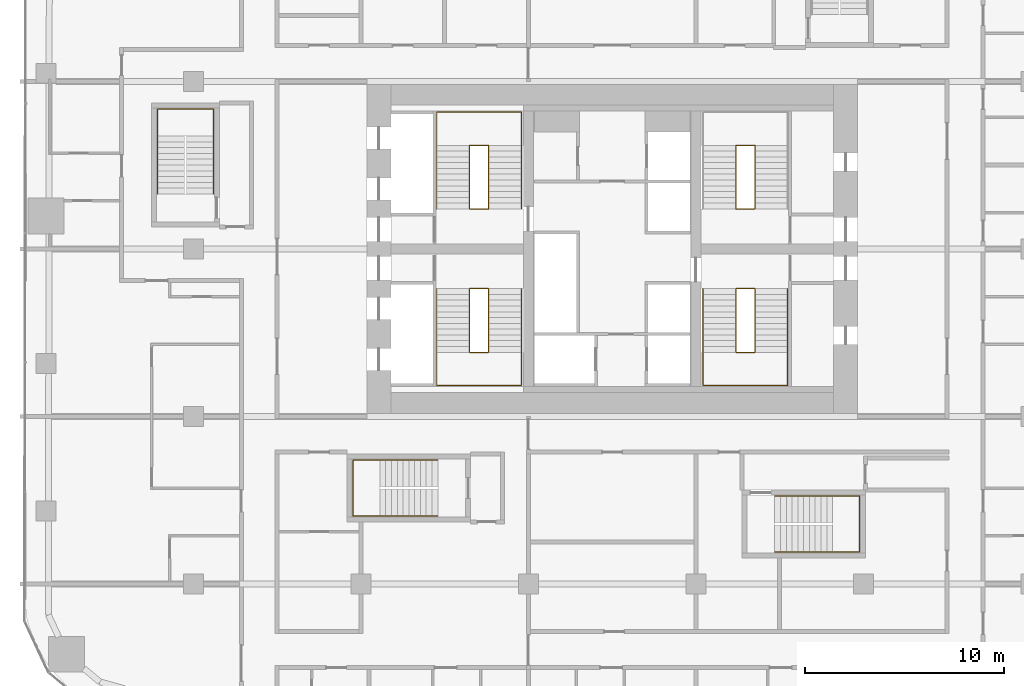
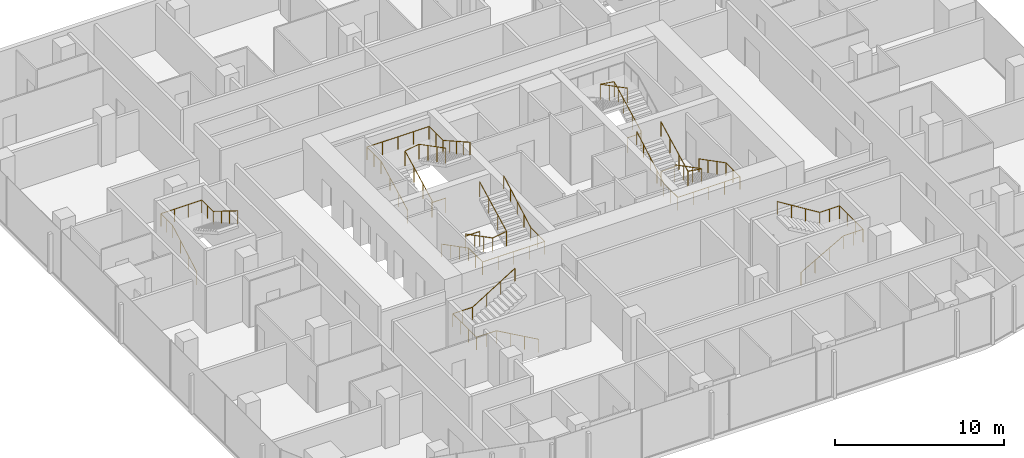
# One storey, part 24 of 25: 10 railings.
"""IFC4 building model written with IfcOpenShell, lengths in metres."""

from ifc_helpers import new_model, si_unit, direction, frame, origin, origin_2d, place, context, subcontext, project, spatial, circle, extrude, material, type_object, element, save


model = new_model("IFC4")

# Units and contexts
model_context = context("Model", 3, precision=1e-05, world=origin(), true_north=direction((0.0, 1.0)))
body_context = subcontext(model_context, "Body", "Model", "MODEL_VIEW")
ifc_project = project(units=[si_unit("LENGTHUNIT", "METRE"), si_unit("AREAUNIT", "SQUARE_METRE"), si_unit("VOLUMEUNIT", "CUBIC_METRE"), si_unit("PLANEANGLEUNIT", "RADIAN"), si_unit("MASSUNIT", "GRAM", prefix="KILO")], contexts=[model_context])

# Site, building, storey
site_placement = place(None, origin())
site = spatial("IfcSite", under=ifc_project, at=site_placement, CompositionType="ELEMENT")
building_placement = place(site_placement, origin())
building = spatial("IfcBuilding", under=site, at=building_placement, Name="Marenta Gate Hotel Tower", CompositionType="ELEMENT")
storey_placement = place(building_placement, frame((0.0, 0.0, 50.89990234375)))
storey = spatial("IfcBuildingStorey", under=building, at=storey_placement, Name="L10", CompositionType="ELEMENT", Elevation=50.89990234375)

# Railings
ifc_material_1 = material(Name="Stainless steel", Category="steel")
railing_type_1 = type_object("IfcRailingType", Name="Core stair handrail 950", PredefinedType="HANDRAIL", material=ifc_material_1)
railing_1_placement = place(storey_placement, frame((-8.800048828125, 6.39990234375, 0.150146484375)))
element("IfcRailing", 1, at=railing_1_placement, inside=storey, type_object=railing_type_1, Name="HR-950 L10-KR-ST1-1", PredefinedType="HANDRAIL", context=body_context, shape_type="SweptSolid", body=[
    extrude(circle(Radius=0.02392578125, at=origin_2d()), frame((0.0, 0.0, 0.92578125), z_axis=(0.0, -0.888225295554, 0.459408123936), x_axis=(1.0, 0.0, 0.0)), (0.0, 0.0, 1.0), 3.59130859375),
    extrude(circle(Radius=0.02392578125, at=origin_2d()), frame((0.0, -3.18994140625, 2.57568359375), z_axis=(0.0, -1.0, 0.0), x_axis=(1.0, 0.0, 0.0)), (0.0, 0.0, 1.0), 1.659912109375),
    extrude(circle(Radius=0.02392578125, at=origin_2d()), frame((0.0, -4.849853515625, 2.57568359375), z_axis=(1.0, 0.0, 0.0), x_axis=(0.0, 1.0, 0.0)), (0.0, 0.0, 1.0), 4.25),
    extrude(circle(Radius=0.02392578125, at=origin_2d()), frame((4.25, -4.849853515625, 2.57568359375), z_axis=(0.0, 1.0, 0.0), x_axis=(-1.0, 0.0, 0.0)), (0.0, 0.0, 1.0), 1.659912109375),
    extrude(circle(Radius=0.02392578125, at=origin_2d()), frame((4.25, -3.18994140625, 2.57568359375), z_axis=(0.0, 0.87090897868, 0.491444351738), x_axis=(-1.0, 0.0, 0.0)), (0.0, 0.0, 1.0), 3.662841796875),
    extrude(circle(Radius=0.02099609375, at=origin_2d()), origin(), (0.0, 0.0, 1.0), 0.90185546875),
    extrude(circle(Radius=0.02099609375, at=origin_2d()), frame((0.0, -1.063232421875, 0.550048828125)), (0.0, 0.0, 1.0), 0.90185546875),
    extrude(circle(Radius=0.02099609375, at=origin_2d()), frame((0.0, -2.126708984375, 1.099853515625)), (0.0, 0.0, 1.0), 0.90185546875),
    extrude(circle(Radius=0.02099609375, at=origin_2d()), frame((0.0, -3.18994140625, 1.64990234375)), (0.0, 0.0, 1.0), 0.90185546875),
    extrude(circle(Radius=0.02099609375, at=origin_2d()), frame((0.0, -4.02001953125, 1.64990234375)), (0.0, 0.0, 1.0), 0.90185546875),
    extrude(circle(Radius=0.02099609375, at=origin_2d()), frame((0.0, -4.849853515625, 1.64990234375)), (0.0, 0.0, 1.0), 0.90185546875),
    extrude(circle(Radius=0.02099609375, at=origin_2d()), frame((1.0625, -4.849853515625, 1.64990234375)), (0.0, 0.0, 1.0), 0.90185546875),
    extrude(circle(Radius=0.02099609375, at=origin_2d()), frame((2.125, -4.849853515625, 1.64990234375)), (0.0, 0.0, 1.0), 0.90185546875),
    extrude(circle(Radius=0.02099609375, at=origin_2d()), frame((3.1875, -4.849853515625, 1.64990234375)), (0.0, 0.0, 1.0), 0.90185546875),
    extrude(circle(Radius=0.02099609375, at=origin_2d()), frame((4.25, -4.849853515625, 1.64990234375)), (0.0, 0.0, 1.0), 0.90185546875),
    extrude(circle(Radius=0.02099609375, at=origin_2d()), frame((4.25, -4.02001953125, 1.64990234375)), (0.0, 0.0, 1.0), 0.90185546875),
    extrude(circle(Radius=0.02099609375, at=origin_2d()), frame((4.25, -3.18994140625, 1.64990234375)), (0.0, 0.0, 1.0), 0.90185546875),
    extrude(circle(Radius=0.02099609375, at=origin_2d()), frame((4.25, -2.392578125, 2.099853515625)), (0.0, 0.0, 1.0), 0.90185546875),
    extrude(circle(Radius=0.02099609375, at=origin_2d()), frame((4.25, -1.594970703125, 2.5498046875)), (0.0, 0.0, 1.0), 0.90185546875),
    extrude(circle(Radius=0.02099609375, at=origin_2d()), frame((4.25, -0.79736328125, 3.0)), (0.0, 0.0, 1.0), 0.90185546875),
    extrude(circle(Radius=0.02099609375, at=origin_2d()), frame((4.25, 0.0, 3.449951171875)), (0.0, 0.0, 1.0), 0.90185546875),
])
railing_2_placement = place(storey_placement, frame((-8.800048828125, 10.39990234375, 0.150146484375)))
element("IfcRailing", 2, at=railing_2_placement, inside=storey, type_object=railing_type_1, Name="HR-950 L10-KR-ST2-1", PredefinedType="HANDRAIL", context=body_context, shape_type="SweptSolid", body=[
    extrude(circle(Radius=0.02392578125, at=origin_2d()), frame((0.0, 0.0, 0.92578125), z_axis=(0.0, 0.888239641807, 0.459380385653), x_axis=(-1.0, 0.0, 0.0)), (0.0, 0.0, 1.0), 3.591552734375),
    extrude(circle(Radius=0.02392578125, at=origin_2d()), frame((0.0, 3.190185546875, 2.57568359375), z_axis=(0.0, 1.0, 0.0), x_axis=(-1.0, 0.0, 0.0)), (0.0, 0.0, 1.0), 1.659912109375),
    extrude(circle(Radius=0.02392578125, at=origin_2d()), frame((0.0, 4.85009765625, 2.57568359375), z_axis=(1.0, 0.0, 0.0), x_axis=(0.0, 1.0, 0.0)), (0.0, 0.0, 1.0), 4.25),
    extrude(circle(Radius=0.02392578125, at=origin_2d()), frame((4.25, 4.85009765625, 2.57568359375), z_axis=(0.0, -1.0, 0.0), x_axis=(1.0, 0.0, 0.0)), (0.0, 0.0, 1.0), 1.659912109375),
    extrude(circle(Radius=0.02392578125, at=origin_2d()), frame((4.25, 3.190185546875, 2.57568359375), z_axis=(0.0, -0.870925075533, 0.491415824742), x_axis=(1.0, 0.0, 0.0)), (0.0, 0.0, 1.0), 3.6630859375),
    extrude(circle(Radius=0.02099609375, at=origin_2d()), origin(), (0.0, 0.0, 1.0), 0.90185546875),
    extrude(circle(Radius=0.02099609375, at=origin_2d()), frame((0.0, 1.0634765625, 0.550048828125)), (0.0, 0.0, 1.0), 0.90185546875),
    extrude(circle(Radius=0.02099609375, at=origin_2d()), frame((0.0, 2.126708984375, 1.099853515625)), (0.0, 0.0, 1.0), 0.90185546875),
    extrude(circle(Radius=0.02099609375, at=origin_2d()), frame((0.0, 3.190185546875, 1.64990234375)), (0.0, 0.0, 1.0), 0.90185546875),
    extrude(circle(Radius=0.02099609375, at=origin_2d()), frame((0.0, 4.02001953125, 1.64990234375)), (0.0, 0.0, 1.0), 0.90185546875),
    extrude(circle(Radius=0.02099609375, at=origin_2d()), frame((0.0, 4.85009765625, 1.64990234375)), (0.0, 0.0, 1.0), 0.90185546875),
    extrude(circle(Radius=0.02099609375, at=origin_2d()), frame((1.0625, 4.85009765625, 1.64990234375)), (0.0, 0.0, 1.0), 0.90185546875),
    extrude(circle(Radius=0.02099609375, at=origin_2d()), frame((2.125, 4.85009765625, 1.64990234375)), (0.0, 0.0, 1.0), 0.90185546875),
    extrude(circle(Radius=0.02099609375, at=origin_2d()), frame((3.1875, 4.85009765625, 1.64990234375)), (0.0, 0.0, 1.0), 0.90185546875),
    extrude(circle(Radius=0.02099609375, at=origin_2d()), frame((4.25, 4.85009765625, 1.64990234375)), (0.0, 0.0, 1.0), 0.90185546875),
    extrude(circle(Radius=0.02099609375, at=origin_2d()), frame((4.25, 4.02001953125, 1.64990234375)), (0.0, 0.0, 1.0), 0.90185546875),
    extrude(circle(Radius=0.02099609375, at=origin_2d()), frame((4.25, 3.190185546875, 1.64990234375)), (0.0, 0.0, 1.0), 0.90185546875),
    extrude(circle(Radius=0.02099609375, at=origin_2d()), frame((4.25, 2.392578125, 2.099853515625)), (0.0, 0.0, 1.0), 0.90185546875),
    extrude(circle(Radius=0.02099609375, at=origin_2d()), frame((4.25, 1.59521484375, 2.5498046875)), (0.0, 0.0, 1.0), 0.90185546875),
    extrude(circle(Radius=0.02099609375, at=origin_2d()), frame((4.25, 0.797607421875, 3.0)), (0.0, 0.0, 1.0), 0.90185546875),
    extrude(circle(Radius=0.02099609375, at=origin_2d()), frame((4.25, 0.0, 3.449951171875)), (0.0, 0.0, 1.0), 0.90185546875),
])
railing_3_placement = place(storey_placement, frame((8.800048828125, 6.39990234375, 0.150146484375)))
element("IfcRailing", 3, at=railing_3_placement, inside=storey, type_object=railing_type_1, Name="HR-950 L10-KR-ST3-1", PredefinedType="HANDRAIL", context=body_context, shape_type="SweptSolid", body=[
    extrude(circle(Radius=0.02392578125, at=origin_2d()), frame((0.0, 0.0, 0.92578125), z_axis=(0.0, -0.888225295554, 0.459408123936), x_axis=(1.0, 0.0, 0.0)), (0.0, 0.0, 1.0), 3.59130859375),
    extrude(circle(Radius=0.02392578125, at=origin_2d()), frame((0.0, -3.18994140625, 2.57568359375), z_axis=(0.0, -1.0, 0.0), x_axis=(1.0, 0.0, 0.0)), (0.0, 0.0, 1.0), 1.659912109375),
    extrude(circle(Radius=0.02392578125, at=origin_2d()), frame((0.0, -4.849853515625, 2.57568359375), z_axis=(-1.0, 0.0, 0.0), x_axis=(0.0, -1.0, 0.0)), (0.0, 0.0, 1.0), 4.25),
    extrude(circle(Radius=0.02392578125, at=origin_2d()), frame((-4.25, -4.849853515625, 2.57568359375), z_axis=(0.0, 1.0, 0.0), x_axis=(-1.0, 0.0, 0.0)), (0.0, 0.0, 1.0), 1.659912109375),
    extrude(circle(Radius=0.02392578125, at=origin_2d()), frame((-4.25, -3.18994140625, 2.57568359375), z_axis=(0.0, 0.87090897868, 0.491444351738), x_axis=(-1.0, 0.0, 0.0)), (0.0, 0.0, 1.0), 3.662841796875),
    extrude(circle(Radius=0.02099609375, at=origin_2d()), origin(), (0.0, 0.0, 1.0), 0.90185546875),
    extrude(circle(Radius=0.02099609375, at=origin_2d()), frame((0.0, -1.063232421875, 0.550048828125)), (0.0, 0.0, 1.0), 0.90185546875),
    extrude(circle(Radius=0.02099609375, at=origin_2d()), frame((0.0, -2.126708984375, 1.099853515625)), (0.0, 0.0, 1.0), 0.90185546875),
    extrude(circle(Radius=0.02099609375, at=origin_2d()), frame((0.0, -3.18994140625, 1.64990234375)), (0.0, 0.0, 1.0), 0.90185546875),
    extrude(circle(Radius=0.02099609375, at=origin_2d()), frame((0.0, -4.02001953125, 1.64990234375)), (0.0, 0.0, 1.0), 0.90185546875),
    extrude(circle(Radius=0.02099609375, at=origin_2d()), frame((0.0, -4.849853515625, 1.64990234375)), (0.0, 0.0, 1.0), 0.90185546875),
    extrude(circle(Radius=0.02099609375, at=origin_2d()), frame((-1.0625, -4.849853515625, 1.64990234375)), (0.0, 0.0, 1.0), 0.90185546875),
    extrude(circle(Radius=0.02099609375, at=origin_2d()), frame((-2.125, -4.849853515625, 1.64990234375)), (0.0, 0.0, 1.0), 0.90185546875),
    extrude(circle(Radius=0.02099609375, at=origin_2d()), frame((-3.1875, -4.849853515625, 1.64990234375)), (0.0, 0.0, 1.0), 0.90185546875),
    extrude(circle(Radius=0.02099609375, at=origin_2d()), frame((-4.25, -4.849853515625, 1.64990234375)), (0.0, 0.0, 1.0), 0.90185546875),
    extrude(circle(Radius=0.02099609375, at=origin_2d()), frame((-4.25, -4.02001953125, 1.64990234375)), (0.0, 0.0, 1.0), 0.90185546875),
    extrude(circle(Radius=0.02099609375, at=origin_2d()), frame((-4.25, -3.18994140625, 1.64990234375)), (0.0, 0.0, 1.0), 0.90185546875),
    extrude(circle(Radius=0.02099609375, at=origin_2d()), frame((-4.25, -2.392578125, 2.099853515625)), (0.0, 0.0, 1.0), 0.90185546875),
    extrude(circle(Radius=0.02099609375, at=origin_2d()), frame((-4.25, -1.594970703125, 2.5498046875)), (0.0, 0.0, 1.0), 0.90185546875),
    extrude(circle(Radius=0.02099609375, at=origin_2d()), frame((-4.25, -0.79736328125, 3.0)), (0.0, 0.0, 1.0), 0.90185546875),
    extrude(circle(Radius=0.02099609375, at=origin_2d()), frame((-4.25, 0.0, 3.449951171875)), (0.0, 0.0, 1.0), 0.90185546875),
])
railing_4_placement = place(storey_placement, frame((8.14990234375, -6.800048828125, 0.163818359375)))
element("IfcRailing", 4, at=railing_4_placement, inside=storey, type_object=railing_type_1, Name="HR-950 L10-RS-Z1-1-KR-1", PredefinedType="HANDRAIL", context=body_context, shape_type="SweptSolid", body=[
    extrude(circle(Radius=0.02392578125, at=origin_2d()), frame((0.0, 0.0, 0.92578125), z_axis=(0.870946286338, 0.0, 0.49137823142), x_axis=(0.0, 1.0, 0.0)), (0.0, 0.0, 1.0), 3.329833984375),
    extrude(circle(Radius=0.02392578125, at=origin_2d()), frame((2.900146484375, 0.0, 2.56201171875), z_axis=(1.0, 0.0, 0.0), x_axis=(0.0, 1.0, 0.0)), (0.0, 0.0, 1.0), 1.349853515625),
    extrude(circle(Radius=0.02392578125, at=origin_2d()), frame((4.25, 0.0, 2.56201171875), z_axis=(0.0, 1.0, 0.0), x_axis=(-1.0, 0.0, 0.0)), (0.0, 0.0, 1.0), 2.800048828125),
    extrude(circle(Radius=0.02392578125, at=origin_2d()), frame((4.25, 2.800048828125, 2.56201171875), z_axis=(-1.0, 0.0, 0.0), x_axis=(0.0, -1.0, 0.0)), (0.0, 0.0, 1.0), 1.349853515625),
    extrude(circle(Radius=0.02392578125, at=origin_2d()), frame((2.900146484375, 2.800048828125, 2.56201171875), z_axis=(-0.849645691689, 0.0, 0.527353959494), x_axis=(0.0, -1.0, 0.0)), (0.0, 0.0, 1.0), 3.413330078125),
    extrude(circle(Radius=0.02099609375, at=origin_2d()), origin(), (0.0, 0.0, 1.0), 0.90185546875),
    extrude(circle(Radius=0.02099609375, at=origin_2d()), frame((0.966796875, 0.0, 0.54541015625)), (0.0, 0.0, 1.0), 0.90185546875),
    extrude(circle(Radius=0.02099609375, at=origin_2d()), frame((1.933349609375, 0.0, 1.0908203125)), (0.0, 0.0, 1.0), 0.90185546875),
    extrude(circle(Radius=0.02099609375, at=origin_2d()), frame((2.900146484375, 0.0, 1.63623046875)), (0.0, 0.0, 1.0), 0.90185546875),
    extrude(circle(Radius=0.02099609375, at=origin_2d()), frame((3.5751953125, 0.0, 1.63623046875)), (0.0, 0.0, 1.0), 0.90185546875),
    extrude(circle(Radius=0.02099609375, at=origin_2d()), frame((4.25, 0.0, 1.63623046875)), (0.0, 0.0, 1.0), 0.90185546875),
    extrude(circle(Radius=0.02099609375, at=origin_2d()), frame((4.25, 0.933349609375, 1.63623046875)), (0.0, 0.0, 1.0), 0.90185546875),
    extrude(circle(Radius=0.02099609375, at=origin_2d()), frame((4.25, 1.86669921875, 1.63623046875)), (0.0, 0.0, 1.0), 0.90185546875),
    extrude(circle(Radius=0.02099609375, at=origin_2d()), frame((4.25, 2.800048828125, 1.63623046875)), (0.0, 0.0, 1.0), 0.90185546875),
    extrude(circle(Radius=0.02099609375, at=origin_2d()), frame((3.5751953125, 2.800048828125, 1.63623046875)), (0.0, 0.0, 1.0), 0.90185546875),
    extrude(circle(Radius=0.02099609375, at=origin_2d()), frame((2.900146484375, 2.800048828125, 1.63623046875)), (0.0, 0.0, 1.0), 0.90185546875),
    extrude(circle(Radius=0.02099609375, at=origin_2d()), frame((1.933349609375, 2.800048828125, 2.236328125)), (0.0, 0.0, 1.0), 0.90185546875),
    extrude(circle(Radius=0.02099609375, at=origin_2d()), frame((0.966796875, 2.800048828125, 2.836181640625)), (0.0, 0.0, 1.0), 0.90185546875),
    extrude(circle(Radius=0.02099609375, at=origin_2d()), frame((0.0, 2.800048828125, 3.436279296875)), (0.0, 0.0, 1.0), 0.90185546875),
])
railing_5_placement = place(storey_placement, frame((-8.75, -5.0, 0.163818359375)))
element("IfcRailing", 5, at=railing_5_placement, inside=storey, type_object=railing_type_1, Name="HR-950 L10-RS-Z1-2-KR-1", PredefinedType="HANDRAIL", context=body_context, shape_type="SweptSolid", body=[
    extrude(circle(Radius=0.02392578125, at=origin_2d()), frame((0.0, 0.0, 0.92578125), z_axis=(-0.870928581787, 0.0, 0.491409610636), x_axis=(0.0, -1.0, 0.0)), (0.0, 0.0, 1.0), 3.32958984375),
    extrude(circle(Radius=0.02392578125, at=origin_2d()), frame((-2.89990234375, 0.0, 2.56201171875), z_axis=(-1.0, 0.0, 0.0), x_axis=(0.0, -1.0, 0.0)), (0.0, 0.0, 1.0), 1.35009765625),
    extrude(circle(Radius=0.02392578125, at=origin_2d()), frame((-4.25, 0.0, 2.56201171875), z_axis=(0.0, 1.0, 0.0), x_axis=(-1.0, 0.0, 0.0)), (0.0, 0.0, 1.0), 2.800048828125),
    extrude(circle(Radius=0.02392578125, at=origin_2d()), frame((-4.25, 2.800048828125, 2.56201171875), z_axis=(1.0, 0.0, 0.0), x_axis=(0.0, 1.0, 0.0)), (0.0, 0.0, 1.0), 1.35009765625),
    extrude(circle(Radius=0.02392578125, at=origin_2d()), frame((-2.89990234375, 2.800048828125, 2.56201171875), z_axis=(0.849625798611, 0.0, 0.527386008853), x_axis=(0.0, 1.0, 0.0)), (0.0, 0.0, 1.0), 3.4130859375),
    extrude(circle(Radius=0.02099609375, at=origin_2d()), origin(), (0.0, 0.0, 1.0), 0.90185546875),
    extrude(circle(Radius=0.02099609375, at=origin_2d()), frame((-0.966552734375, 0.0, 0.54541015625)), (0.0, 0.0, 1.0), 0.90185546875),
    extrude(circle(Radius=0.02099609375, at=origin_2d()), frame((-1.933349609375, 0.0, 1.0908203125)), (0.0, 0.0, 1.0), 0.90185546875),
    extrude(circle(Radius=0.02099609375, at=origin_2d()), frame((-2.89990234375, 0.0, 1.63623046875)), (0.0, 0.0, 1.0), 0.90185546875),
    extrude(circle(Radius=0.02099609375, at=origin_2d()), frame((-3.574951171875, 0.0, 1.63623046875)), (0.0, 0.0, 1.0), 0.90185546875),
    extrude(circle(Radius=0.02099609375, at=origin_2d()), frame((-4.25, 0.0, 1.63623046875)), (0.0, 0.0, 1.0), 0.90185546875),
    extrude(circle(Radius=0.02099609375, at=origin_2d()), frame((-4.25, 0.933349609375, 1.63623046875)), (0.0, 0.0, 1.0), 0.90185546875),
    extrude(circle(Radius=0.02099609375, at=origin_2d()), frame((-4.25, 1.86669921875, 1.63623046875)), (0.0, 0.0, 1.0), 0.90185546875),
    extrude(circle(Radius=0.02099609375, at=origin_2d()), frame((-4.25, 2.800048828125, 1.63623046875)), (0.0, 0.0, 1.0), 0.90185546875),
    extrude(circle(Radius=0.02099609375, at=origin_2d()), frame((-3.574951171875, 2.800048828125, 1.63623046875)), (0.0, 0.0, 1.0), 0.90185546875),
    extrude(circle(Radius=0.02099609375, at=origin_2d()), frame((-2.89990234375, 2.800048828125, 1.63623046875)), (0.0, 0.0, 1.0), 0.90185546875),
    extrude(circle(Radius=0.02099609375, at=origin_2d()), frame((-1.933349609375, 2.800048828125, 2.236328125)), (0.0, 0.0, 1.0), 0.90185546875),
    extrude(circle(Radius=0.02099609375, at=origin_2d()), frame((-0.966552734375, 2.800048828125, 2.836181640625)), (0.0, 0.0, 1.0), 0.90185546875),
    extrude(circle(Radius=0.02099609375, at=origin_2d()), frame((0.0, 2.800048828125, 3.436279296875)), (0.0, 0.0, 1.0), 0.90185546875),
])
railing_6_placement = place(storey_placement, frame((-22.800048828125, 11.14990234375, 0.163818359375)))
element("IfcRailing", 6, at=railing_6_placement, inside=storey, type_object=railing_type_1, Name="HR-950 L10-RS-Z1-3-KR-1", PredefinedType="HANDRAIL", context=body_context, shape_type="SweptSolid", body=[
    extrude(circle(Radius=0.02392578125, at=origin_2d()), frame((0.0, 0.0, 0.92578125), z_axis=(0.0, 0.870946286338, 0.49137823142), x_axis=(-1.0, 0.0, 0.0)), (0.0, 0.0, 1.0), 3.329833984375),
    extrude(circle(Radius=0.02392578125, at=origin_2d()), frame((0.0, 2.900146484375, 2.56201171875), z_axis=(0.0, 1.0, 0.0), x_axis=(-1.0, 0.0, 0.0)), (0.0, 0.0, 1.0), 1.349853515625),
    extrude(circle(Radius=0.02392578125, at=origin_2d()), frame((0.0, 4.25, 2.56201171875), z_axis=(1.0, 0.0, 0.0), x_axis=(0.0, 1.0, 0.0)), (0.0, 0.0, 1.0), 2.800048828125),
    extrude(circle(Radius=0.02392578125, at=origin_2d()), frame((2.800048828125, 4.25, 2.56201171875), z_axis=(0.0, -1.0, 0.0), x_axis=(1.0, 0.0, 0.0)), (0.0, 0.0, 1.0), 1.349853515625),
    extrude(circle(Radius=0.02392578125, at=origin_2d()), frame((2.800048828125, 2.900146484375, 2.56201171875), z_axis=(0.0, -0.849645691689, 0.527353959494), x_axis=(1.0, 0.0, 0.0)), (0.0, 0.0, 1.0), 3.413330078125),
    extrude(circle(Radius=0.02099609375, at=origin_2d()), origin(), (0.0, 0.0, 1.0), 0.90185546875),
    extrude(circle(Radius=0.02099609375, at=origin_2d()), frame((0.0, 0.966796875, 0.54541015625)), (0.0, 0.0, 1.0), 0.90185546875),
    extrude(circle(Radius=0.02099609375, at=origin_2d()), frame((0.0, 1.933349609375, 1.0908203125)), (0.0, 0.0, 1.0), 0.90185546875),
    extrude(circle(Radius=0.02099609375, at=origin_2d()), frame((0.0, 2.900146484375, 1.63623046875)), (0.0, 0.0, 1.0), 0.90185546875),
    extrude(circle(Radius=0.02099609375, at=origin_2d()), frame((0.0, 3.5751953125, 1.63623046875)), (0.0, 0.0, 1.0), 0.90185546875),
    extrude(circle(Radius=0.02099609375, at=origin_2d()), frame((0.0, 4.25, 1.63623046875)), (0.0, 0.0, 1.0), 0.90185546875),
    extrude(circle(Radius=0.02099609375, at=origin_2d()), frame((0.933349609375, 4.25, 1.63623046875)), (0.0, 0.0, 1.0), 0.90185546875),
    extrude(circle(Radius=0.02099609375, at=origin_2d()), frame((1.86669921875, 4.25, 1.63623046875)), (0.0, 0.0, 1.0), 0.90185546875),
    extrude(circle(Radius=0.02099609375, at=origin_2d()), frame((2.800048828125, 4.25, 1.63623046875)), (0.0, 0.0, 1.0), 0.90185546875),
    extrude(circle(Radius=0.02099609375, at=origin_2d()), frame((2.800048828125, 3.5751953125, 1.63623046875)), (0.0, 0.0, 1.0), 0.90185546875),
    extrude(circle(Radius=0.02099609375, at=origin_2d()), frame((2.800048828125, 2.900146484375, 1.63623046875)), (0.0, 0.0, 1.0), 0.90185546875),
    extrude(circle(Radius=0.02099609375, at=origin_2d()), frame((2.800048828125, 1.933349609375, 2.236328125)), (0.0, 0.0, 1.0), 0.90185546875),
    extrude(circle(Radius=0.02099609375, at=origin_2d()), frame((2.800048828125, 0.966796875, 2.836181640625)), (0.0, 0.0, 1.0), 0.90185546875),
    extrude(circle(Radius=0.02099609375, at=origin_2d()), frame((2.800048828125, 0.0, 3.436279296875)), (0.0, 0.0, 1.0), 0.90185546875),
])
ifc_material_2 = material(Name="Stainless steel", Category="steel")
railing_type_2 = type_object("IfcRailingType", Name="Core stair well guard 1100", PredefinedType="GUARDRAIL", material=ifc_material_2)
railing_7_placement = place(storey_placement, frame((-6.199951171875, 6.39990234375, 0.0)))
element("IfcRailing", 7, at=railing_7_placement, inside=storey, type_object=railing_type_2, Name="GR-1100 L10-KR-ST1-2", PredefinedType="GUARDRAIL", context=body_context, shape_type="SweptSolid", body=[
    extrude(circle(Radius=0.02392578125, at=origin_2d()), frame((0.0, 0.0, 1.076171875), z_axis=(-1.0, 0.0, 0.0), x_axis=(0.0, -1.0, 0.0)), (0.0, 0.0, 1.0), 0.949951171875),
    extrude(circle(Radius=0.02392578125, at=origin_2d()), frame((-0.949951171875, 0.0, 1.076171875), z_axis=(0.0, 0.0, 1.0), x_axis=(1.0, 0.0, 0.0)), (0.0, 0.0, 1.0), 0.150146484375),
    extrude(circle(Radius=0.02392578125, at=origin_2d()), frame((-0.949951171875, 0.0, 1.22607421875), z_axis=(0.0, -0.888225295554, 0.459408123936), x_axis=(1.0, 0.0, 0.0)), (0.0, 0.0, 1.0), 3.59130859375),
    extrude(circle(Radius=0.02392578125, at=origin_2d()), frame((-0.949951171875, -3.18994140625, 2.8759765625), z_axis=(0.987738253826, 0.0, 0.156118999255), x_axis=(0.0, 1.0, 0.0)), (0.0, 0.0, 1.0), 0.961669921875),
    extrude(circle(Radius=0.02392578125, at=origin_2d()), frame((0.0, -3.18994140625, 3.0263671875), z_axis=(0.0, 0.888225295554, 0.459408123936), x_axis=(-1.0, 0.0, 0.0)), (0.0, 0.0, 1.0), 3.59130859375),
    extrude(circle(Radius=0.02099609375, at=origin_2d()), origin(), (0.0, 0.0, 1.0), 1.052001953125),
    extrude(circle(Radius=0.02099609375, at=origin_2d()), frame((-0.949951171875, 0.0, 0.0)), (0.0, 0.0, 1.0), 1.052001953125),
    extrude(circle(Radius=0.02099609375, at=origin_2d()), frame((-0.949951171875, 0.0, 0.150146484375)), (0.0, 0.0, 1.0), 1.052001953125),
    extrude(circle(Radius=0.02099609375, at=origin_2d()), frame((-0.949951171875, -1.063232421875, 0.7001953125)), (0.0, 0.0, 1.0), 1.052001953125),
    extrude(circle(Radius=0.02099609375, at=origin_2d()), frame((-0.949951171875, -2.126708984375, 1.25)), (0.0, 0.0, 1.0), 1.052001953125),
    extrude(circle(Radius=0.02099609375, at=origin_2d()), frame((-0.949951171875, -3.18994140625, 1.800048828125)), (0.0, 0.0, 1.0), 1.052001953125),
    extrude(circle(Radius=0.02099609375, at=origin_2d()), frame((0.0, -3.18994140625, 1.9501953125)), (0.0, 0.0, 1.0), 1.052001953125),
    extrude(circle(Radius=0.02099609375, at=origin_2d()), frame((0.0, -2.126708984375, 2.500244140625)), (0.0, 0.0, 1.0), 1.052001953125),
    extrude(circle(Radius=0.02099609375, at=origin_2d()), frame((0.0, -1.063232421875, 3.050048828125)), (0.0, 0.0, 1.0), 1.052001953125),
    extrude(circle(Radius=0.02099609375, at=origin_2d()), frame((0.0, 0.0, 3.60009765625)), (0.0, 0.0, 1.0), 1.052001953125),
])
railing_8_placement = place(storey_placement, frame((-6.199951171875, 10.39990234375, 0.0)))
element("IfcRailing", 8, at=railing_8_placement, inside=storey, type_object=railing_type_2, Name="GR-1100 L10-KR-ST2-2", PredefinedType="GUARDRAIL", context=body_context, shape_type="SweptSolid", body=[
    extrude(circle(Radius=0.02392578125, at=origin_2d()), frame((0.0, 0.0, 1.076171875), z_axis=(-1.0, 0.0, 0.0), x_axis=(0.0, -1.0, 0.0)), (0.0, 0.0, 1.0), 0.949951171875),
    extrude(circle(Radius=0.02392578125, at=origin_2d()), frame((-0.949951171875, 0.0, 1.076171875), z_axis=(0.0, 0.0, 1.0), x_axis=(1.0, 0.0, 0.0)), (0.0, 0.0, 1.0), 0.150146484375),
    extrude(circle(Radius=0.02392578125, at=origin_2d()), frame((-0.949951171875, 0.0, 1.22607421875), z_axis=(0.0, 0.888239641807, 0.459380385653), x_axis=(-1.0, 0.0, 0.0)), (0.0, 0.0, 1.0), 3.591552734375),
    extrude(circle(Radius=0.02392578125, at=origin_2d()), frame((-0.949951171875, 3.190185546875, 2.8759765625), z_axis=(0.987738253826, 0.0, 0.156118999255), x_axis=(0.0, 1.0, 0.0)), (0.0, 0.0, 1.0), 0.961669921875),
    extrude(circle(Radius=0.02392578125, at=origin_2d()), frame((0.0, 3.190185546875, 3.0263671875), z_axis=(0.0, -0.888239641807, 0.459380385653), x_axis=(1.0, 0.0, 0.0)), (0.0, 0.0, 1.0), 3.591552734375),
    extrude(circle(Radius=0.02099609375, at=origin_2d()), origin(), (0.0, 0.0, 1.0), 1.052001953125),
    extrude(circle(Radius=0.02099609375, at=origin_2d()), frame((-0.949951171875, 0.0, 0.0)), (0.0, 0.0, 1.0), 1.052001953125),
    extrude(circle(Radius=0.02099609375, at=origin_2d()), frame((-0.949951171875, 0.0, 0.150146484375)), (0.0, 0.0, 1.0), 1.052001953125),
    extrude(circle(Radius=0.02099609375, at=origin_2d()), frame((-0.949951171875, 1.0634765625, 0.7001953125)), (0.0, 0.0, 1.0), 1.052001953125),
    extrude(circle(Radius=0.02099609375, at=origin_2d()), frame((-0.949951171875, 2.126708984375, 1.25)), (0.0, 0.0, 1.0), 1.052001953125),
    extrude(circle(Radius=0.02099609375, at=origin_2d()), frame((-0.949951171875, 3.190185546875, 1.800048828125)), (0.0, 0.0, 1.0), 1.052001953125),
    extrude(circle(Radius=0.02099609375, at=origin_2d()), frame((0.0, 3.190185546875, 1.9501953125)), (0.0, 0.0, 1.0), 1.052001953125),
    extrude(circle(Radius=0.02099609375, at=origin_2d()), frame((0.0, 2.126708984375, 2.500244140625)), (0.0, 0.0, 1.0), 1.052001953125),
    extrude(circle(Radius=0.02099609375, at=origin_2d()), frame((0.0, 1.0634765625, 3.050048828125)), (0.0, 0.0, 1.0), 1.052001953125),
    extrude(circle(Radius=0.02099609375, at=origin_2d()), frame((0.0, 0.0, 3.60009765625)), (0.0, 0.0, 1.0), 1.052001953125),
])
railing_9_placement = place(storey_placement, frame((6.199951171875, 6.39990234375, 0.0)))
element("IfcRailing", 9, at=railing_9_placement, inside=storey, type_object=railing_type_2, Name="GR-1100 L10-KR-ST3-2", PredefinedType="GUARDRAIL", context=body_context, shape_type="SweptSolid", body=[
    extrude(circle(Radius=0.02392578125, at=origin_2d()), frame((0.0, 0.0, 1.076171875), z_axis=(1.0, 0.0, 0.0), x_axis=(0.0, 1.0, 0.0)), (0.0, 0.0, 1.0), 0.949951171875),
    extrude(circle(Radius=0.02392578125, at=origin_2d()), frame((0.949951171875, 0.0, 1.076171875), z_axis=(0.0, 0.0, 1.0), x_axis=(1.0, 0.0, 0.0)), (0.0, 0.0, 1.0), 0.150146484375),
    extrude(circle(Radius=0.02392578125, at=origin_2d()), frame((0.949951171875, 0.0, 1.22607421875), z_axis=(0.0, -0.888225295554, 0.459408123936), x_axis=(1.0, 0.0, 0.0)), (0.0, 0.0, 1.0), 3.59130859375),
    extrude(circle(Radius=0.02392578125, at=origin_2d()), frame((0.949951171875, -3.18994140625, 2.8759765625), z_axis=(-0.987738253826, 0.0, 0.156118999255), x_axis=(0.0, -1.0, 0.0)), (0.0, 0.0, 1.0), 0.961669921875),
    extrude(circle(Radius=0.02392578125, at=origin_2d()), frame((0.0, -3.18994140625, 3.0263671875), z_axis=(0.0, 0.888225295554, 0.459408123936), x_axis=(-1.0, 0.0, 0.0)), (0.0, 0.0, 1.0), 3.59130859375),
    extrude(circle(Radius=0.02099609375, at=origin_2d()), origin(), (0.0, 0.0, 1.0), 1.052001953125),
    extrude(circle(Radius=0.02099609375, at=origin_2d()), frame((0.949951171875, 0.0, 0.0)), (0.0, 0.0, 1.0), 1.052001953125),
    extrude(circle(Radius=0.02099609375, at=origin_2d()), frame((0.949951171875, 0.0, 0.150146484375)), (0.0, 0.0, 1.0), 1.052001953125),
    extrude(circle(Radius=0.02099609375, at=origin_2d()), frame((0.949951171875, -1.063232421875, 0.7001953125)), (0.0, 0.0, 1.0), 1.052001953125),
    extrude(circle(Radius=0.02099609375, at=origin_2d()), frame((0.949951171875, -2.126708984375, 1.25)), (0.0, 0.0, 1.0), 1.052001953125),
    extrude(circle(Radius=0.02099609375, at=origin_2d()), frame((0.949951171875, -3.18994140625, 1.800048828125)), (0.0, 0.0, 1.0), 1.052001953125),
    extrude(circle(Radius=0.02099609375, at=origin_2d()), frame((0.0, -3.18994140625, 1.9501953125)), (0.0, 0.0, 1.0), 1.052001953125),
    extrude(circle(Radius=0.02099609375, at=origin_2d()), frame((0.0, -2.126708984375, 2.500244140625)), (0.0, 0.0, 1.0), 1.052001953125),
    extrude(circle(Radius=0.02099609375, at=origin_2d()), frame((0.0, -1.063232421875, 3.050048828125)), (0.0, 0.0, 1.0), 1.052001953125),
    extrude(circle(Radius=0.02099609375, at=origin_2d()), frame((0.0, 0.0, 3.60009765625)), (0.0, 0.0, 1.0), 1.052001953125),
])
railing_10_placement = place(storey_placement, frame((6.199951171875, 10.39990234375, 0.0)))
element("IfcRailing", 10, at=railing_10_placement, inside=storey, type_object=railing_type_2, Name="GR-1100 L10-KR-ST4-2", PredefinedType="GUARDRAIL", context=body_context, shape_type="SweptSolid", body=[
    extrude(circle(Radius=0.02392578125, at=origin_2d()), frame((0.0, 0.0, 1.076171875), z_axis=(1.0, 0.0, 0.0), x_axis=(0.0, 1.0, 0.0)), (0.0, 0.0, 1.0), 0.949951171875),
    extrude(circle(Radius=0.02392578125, at=origin_2d()), frame((0.949951171875, 0.0, 1.076171875), z_axis=(0.0, 0.0, 1.0), x_axis=(1.0, 0.0, 0.0)), (0.0, 0.0, 1.0), 0.150146484375),
    extrude(circle(Radius=0.02392578125, at=origin_2d()), frame((0.949951171875, 0.0, 1.22607421875), z_axis=(0.0, 0.888239641807, 0.459380385653), x_axis=(-1.0, 0.0, 0.0)), (0.0, 0.0, 1.0), 3.591552734375),
    extrude(circle(Radius=0.02392578125, at=origin_2d()), frame((0.949951171875, 3.190185546875, 2.8759765625), z_axis=(-0.987738253826, 0.0, 0.156118999255), x_axis=(0.0, -1.0, 0.0)), (0.0, 0.0, 1.0), 0.961669921875),
    extrude(circle(Radius=0.02392578125, at=origin_2d()), frame((0.0, 3.190185546875, 3.0263671875), z_axis=(0.0, -0.888239641807, 0.459380385653), x_axis=(1.0, 0.0, 0.0)), (0.0, 0.0, 1.0), 3.591552734375),
    extrude(circle(Radius=0.02099609375, at=origin_2d()), origin(), (0.0, 0.0, 1.0), 1.052001953125),
    extrude(circle(Radius=0.02099609375, at=origin_2d()), frame((0.949951171875, 0.0, 0.0)), (0.0, 0.0, 1.0), 1.052001953125),
    extrude(circle(Radius=0.02099609375, at=origin_2d()), frame((0.949951171875, 0.0, 0.150146484375)), (0.0, 0.0, 1.0), 1.052001953125),
    extrude(circle(Radius=0.02099609375, at=origin_2d()), frame((0.949951171875, 1.0634765625, 0.7001953125)), (0.0, 0.0, 1.0), 1.052001953125),
    extrude(circle(Radius=0.02099609375, at=origin_2d()), frame((0.949951171875, 2.126708984375, 1.25)), (0.0, 0.0, 1.0), 1.052001953125),
    extrude(circle(Radius=0.02099609375, at=origin_2d()), frame((0.949951171875, 3.190185546875, 1.800048828125)), (0.0, 0.0, 1.0), 1.052001953125),
    extrude(circle(Radius=0.02099609375, at=origin_2d()), frame((0.0, 3.190185546875, 1.9501953125)), (0.0, 0.0, 1.0), 1.052001953125),
    extrude(circle(Radius=0.02099609375, at=origin_2d()), frame((0.0, 2.126708984375, 2.500244140625)), (0.0, 0.0, 1.0), 1.052001953125),
    extrude(circle(Radius=0.02099609375, at=origin_2d()), frame((0.0, 1.0634765625, 3.050048828125)), (0.0, 0.0, 1.0), 1.052001953125),
    extrude(circle(Radius=0.02099609375, at=origin_2d()), frame((0.0, 0.0, 3.60009765625)), (0.0, 0.0, 1.0), 1.052001953125),
])

save(model, "model.ifc")
